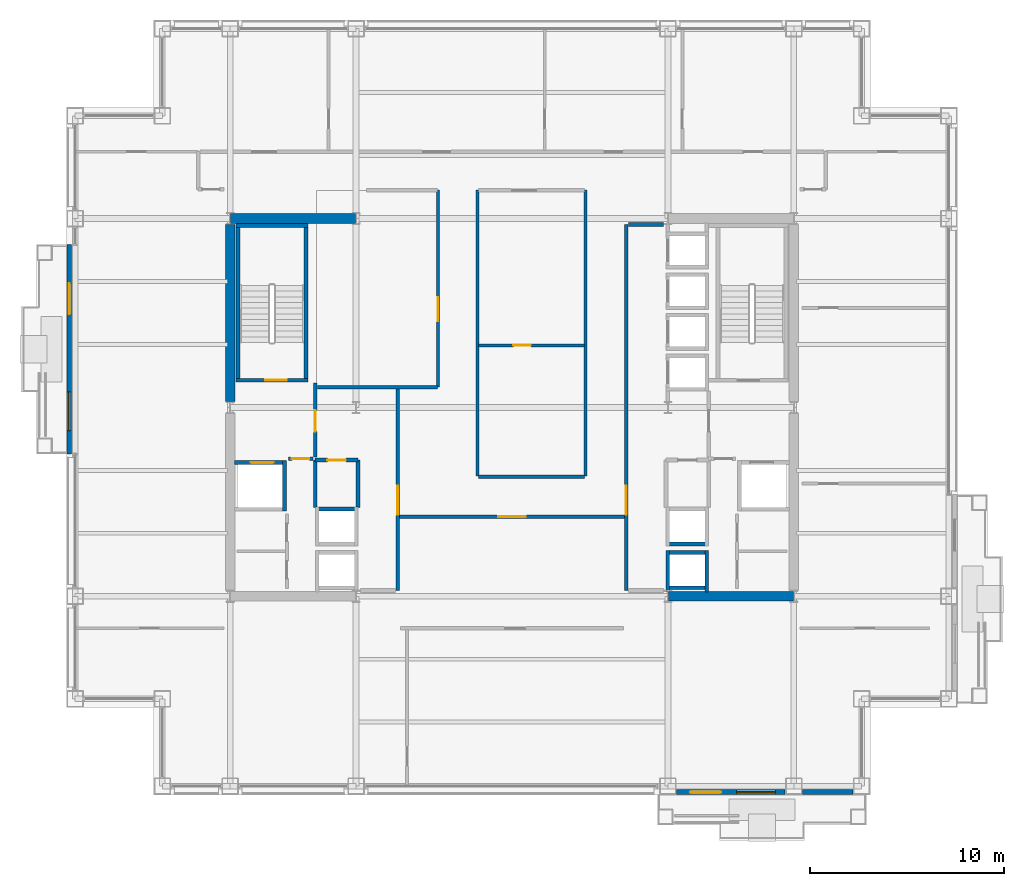
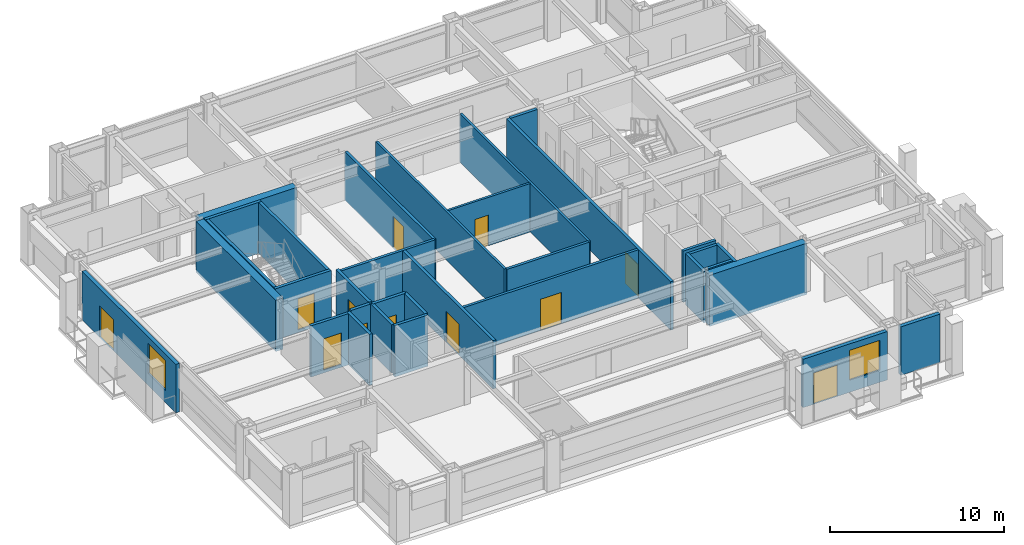
# One storey, part 25 of 30: 33 walls, 12 doors, 2 windows, 14 openings.
"""IFC4 building model written with IfcOpenShell, lengths in metres."""

import ifcopenshell
import ifcopenshell.guid

model = None  # the IFC model being written
_history = None  # IfcOwnerHistory: only IFC2X3 demands one
_inside = {}  # id of a spatial element -> (the spatial element, [elements in it])
_under = {}  # id of a project, library or spatial element -> (it, [spatial elements below it])
_declared = {}  # id of a project -> (the project, [libraries it declares])
_typed = {}  # id of a type object -> (the type object, [elements of that type])
_made_of = {}  # id of a material, layer set ... -> (it, [elements and type objects made of it])


def new_model(schema):
    """Start an empty IFC model of exactly this schema.

    Asked for "IFC4X3", IfcOpenShell would pick the latest addendum, in which some entities
    have other attributes; the version numbers below select the first issue.
    IFC2X3 requires an IfcOwnerHistory on every rooted entity: one is made here for all.
    """
    global model, _history
    if schema == "IFC4X3":
        model = ifcopenshell.file(schema_version=(4, 3, 0, 0))
    else:
        model = ifcopenshell.file(schema=schema)
    _inside.clear()
    _under.clear()
    _declared.clear()
    _typed.clear()
    _made_of.clear()
    _history = None
    if model.schema == "IFC2X3":
        org = make("IfcOrganization", Name="unknown")
        user = make(
            "IfcPersonAndOrganization",
            ThePerson=make("IfcPerson", FamilyName="unknown"),
            TheOrganization=org,
        )
        app = make(
            "IfcApplication",
            ApplicationDeveloper=org,
            Version="unknown",
            ApplicationFullName="unknown",
            ApplicationIdentifier="unknown",
        )
        _history = make(
            "IfcOwnerHistory",
            OwningUser=user,
            OwningApplication=app,
            ChangeAction="ADDED",
            CreationDate=0,
        )
    return model


def make(cls, **values):
    """One entity of the class cls with the attributes given. An attribute that is None is left unset."""
    return model.create_entity(
        cls, **{name: value for name, value in values.items() if value is not None}
    )


def rooted(cls, **values):
    """An entity with a GlobalId (a new one), such as an element, a storey or a relation."""
    return make(cls, GlobalId=ifcopenshell.guid.new(), OwnerHistory=_history, **values)


def si_unit(unit_type, name, prefix=None):
    """IfcSIUnit, for example si_unit("LENGTHUNIT", "METRE", prefix="MILLI")."""
    return make("IfcSIUnit", UnitType=unit_type, Prefix=prefix, Name=name)


def assignment(units):
    """IfcUnitAssignment: the units of a project."""
    return None if units is None else make("IfcUnitAssignment", Units=units)


def point(xyz):
    """IfcCartesianPoint."""
    return None if xyz is None else make("IfcCartesianPoint", Coordinates=xyz)


def direction(xyz):
    """IfcDirection."""
    return None if xyz is None else make("IfcDirection", DirectionRatios=xyz)


def frame(location, z_axis=None, x_axis=None):
    """IfcAxis2Placement3D, a coordinate frame: its origin and axes. An axis left out is left unset."""
    return make(
        "IfcAxis2Placement3D",
        Location=point(location),
        Axis=direction(z_axis),
        RefDirection=direction(x_axis),
    )


def frame_2d(location, x_axis=None):
    """IfcAxis2Placement2D, a coordinate frame in the plane: its origin and x axis."""
    return make(
        "IfcAxis2Placement2D", Location=point(location), RefDirection=direction(x_axis)
    )


def origin():
    """The frame at (0, 0, 0) with its axes left unset."""
    return frame((0.0, 0.0, 0.0))


def place(relative_to, where):
    """IfcLocalPlacement: puts the frame where relative to a parent placement (None: the world)."""
    return make(
        "IfcLocalPlacement", PlacementRelTo=relative_to, RelativePlacement=where
    )


def context(
    kind, dimensions, precision=None, world=None, true_north=None, identifier=None
):
    """IfcGeometricRepresentationContext, for example the 3D "Model" context."""
    return make(
        "IfcGeometricRepresentationContext",
        ContextIdentifier=identifier,
        ContextType=kind,
        CoordinateSpaceDimension=dimensions,
        Precision=precision,
        WorldCoordinateSystem=world,
        TrueNorth=true_north,
    )


def subcontext(parent, identifier, kind, view, scale=None):
    """IfcGeometricRepresentationSubContext, for example "Body" below "Model"."""
    return make(
        "IfcGeometricRepresentationSubContext",
        ContextIdentifier=identifier,
        ContextType=kind,
        ParentContext=parent,
        TargetScale=scale,
        TargetView=view,
    )


def project(units=None, contexts=None):
    """IfcProject with its units and contexts."""
    return rooted(
        "IfcProject",
        Name="project",
        RepresentationContexts=contexts,
        UnitsInContext=assignment(units),
    )


def spatial(cls, under=None, at=None, **own):
    """A site, building, storey or space (cls), placed at a placement, below another one or the project."""
    s = rooted(cls, ObjectPlacement=at, **own)
    if under is not None:
        _under.setdefault(under.id(), (under, []))[1].append(s)
    return s


def profile(cls, at=None, kind="AREA", **sizes):
    """A parametric profile (cls). Its sizes go by their IFC names, for example OverallWidth=200.0."""
    return make(cls, ProfileType=kind, Position=at, **sizes)


def rectangle(**sizes):
    """IfcRectangleProfileDef."""
    return profile("IfcRectangleProfileDef", **sizes)


def extrude(swept, where, along, depth):
    """IfcExtrudedAreaSolid: the profile swept, set in the frame where, extruded along a direction by depth."""
    return make(
        "IfcExtrudedAreaSolid",
        SweptArea=swept,
        Position=where,
        ExtrudedDirection=direction(along),
        Depth=depth,
    )


def shape(context_of_items, identifier, shape_type, items):
    """IfcShapeRepresentation: the items that make up one representation, for example the "Body"."""
    return make(
        "IfcShapeRepresentation",
        ContextOfItems=context_of_items,
        RepresentationIdentifier=identifier,
        RepresentationType=shape_type,
        Items=items,
    )


def material(Name=None, Category=None):
    """IfcMaterial."""
    return make("IfcMaterial", Name=Name, Category=Category)


def layer(
    of_material, thickness, ventilated=None, Name=None, Category=None, Priority=None
):
    """IfcMaterialLayer: one layer of a wall or slab, of a material (None: an air gap)."""
    return make(
        "IfcMaterialLayer",
        Material=of_material,
        LayerThickness=thickness,
        IsVentilated=ventilated,
        Name=Name,
        Category=Category,
        Priority=Priority,
    )


def layer_set(layers, Name=None):
    """IfcMaterialLayerSet."""
    return make("IfcMaterialLayerSet", MaterialLayers=layers, LayerSetName=Name)


def made_of(thing, what):
    """Note that an element or type object is made of a material, layer set ...; save() writes the relation."""
    if what is not None:
        _made_of.setdefault(what.id(), (what, []))[1].append(thing)
    return thing


def type_object(cls, material=None, **own):
    """A type object (cls), such as IfcWallType, which elements share."""
    return made_of(rooted(cls, **own), material)


def element(
    cls,
    number,
    at=None,
    inside=None,
    cuts=None,
    type_object=None,
    material=None,
    context=None,
    identifier="Body",
    shape_type=None,
    held_by="IfcProductDefinitionShape",
    body=None,
    shapes=None,
    **own,
):
    """One element of the class cls, such as IfcWall. Its Tag is "e" and its number.

    at: its placement. inside: the storey or other place that contains it. cuts: it is an
    opening in that element (IfcRelVoidsElement). A single representation is given by context,
    identifier, shape_type and body (its items); several are given by shapes. held_by: the class
    of the entity that holds the representations. save() writes the other relations.
    """
    e = rooted(cls, Tag="e%d" % number, ObjectPlacement=at, **own)
    if body is not None:
        shapes = [shape(context, identifier, shape_type, body)]
    if shapes is not None:
        e.Representation = make(held_by, Representations=shapes)
    if inside is not None:
        _inside.setdefault(inside.id(), (inside, []))[1].append(e)
    if cuts is not None:
        rooted(
            "IfcRelVoidsElement", RelatingBuildingElement=cuts, RelatedOpeningElement=e
        )
    if type_object is not None:
        _typed.setdefault(type_object.id(), (type_object, []))[1].append(e)
    return made_of(e, material)


def fill(opening, filler):
    """IfcRelFillsElement: the door or window that sits in an opening."""
    return rooted(
        "IfcRelFillsElement",
        RelatingOpeningElement=opening,
        RelatedBuildingElement=filler,
    )


def aggregate(whole, parts):
    """IfcRelAggregates: a whole, such as a stair, and the parts it consists of."""
    return rooted("IfcRelAggregates", RelatingObject=whole, RelatedObjects=parts)


def save(model, path):
    """Write the relations noted so far, then the file.

    IfcRelAggregates (storeys below a building ...), IfcRelContainedInSpatialStructure (elements
    in a storey), IfcRelDefinesByType, IfcRelAssociatesMaterial and IfcRelDeclares: one each for
    every whole, place, type object, material and project.
    """
    for whole, parts in _under.values():
        aggregate(whole, parts)
    for where, things in _inside.values():
        rooted(
            "IfcRelContainedInSpatialStructure",
            RelatedElements=things,
            RelatingStructure=where,
        )
    for kind, things in _typed.values():
        rooted("IfcRelDefinesByType", RelatedObjects=things, RelatingType=kind)
    for what, things in _made_of.values():
        rooted("IfcRelAssociatesMaterial", RelatedObjects=things, RelatingMaterial=what)
    for by, libraries in _declared.values():
        rooted("IfcRelDeclares", RelatingContext=by, RelatedDefinitions=libraries)
    model.write(path)


model = new_model("IFC4")

# Units and contexts
model_context = context("Model", 3, precision=1e-05, world=origin(), true_north=direction((0.0, 1.0)))
body_context = subcontext(model_context, "Body", "Model", "MODEL_VIEW")
ifc_project = project(units=[si_unit("LENGTHUNIT", "METRE"), si_unit("AREAUNIT", "SQUARE_METRE"), si_unit("VOLUMEUNIT", "CUBIC_METRE"), si_unit("PLANEANGLEUNIT", "RADIAN"), si_unit("MASSUNIT", "GRAM", prefix="KILO")], contexts=[model_context])

# Site, building, storey
site_placement = place(None, origin())
site = spatial("IfcSite", under=ifc_project, at=site_placement, CompositionType="ELEMENT")
building_placement = place(site_placement, origin())
building = spatial("IfcBuilding", under=site, at=building_placement, Name="Brelmoor Portico Tower", CompositionType="ELEMENT")
storey_placement = place(building_placement, frame((0.0, 0.0, 102.60009765625)))
storey = spatial("IfcBuildingStorey", under=building, at=storey_placement, Name="L26", CompositionType="ELEMENT", Elevation=102.60009765625)

# Walls
ifc_material_1 = material(Name="Concrete C60", Category="concrete")
ifc_layer_1 = layer(ifc_material_1, 0.5)
ifc_layer_set_1 = layer_set([ifc_layer_1], Name="Concrete C60")
wall_type_1 = type_object("IfcWallType", Name="WL-CORE-500", PredefinedType="SHEAR", material=ifc_layer_set_1)
wall_1_placement = place(storey_placement, frame((-14.530029296875, 9.75, -0.2001953125), z_axis=(0.0, 0.0, 1.0), x_axis=(1.0, 0.0, 0.0)))
element("IfcWall", 1, at=wall_1_placement, inside=storey, type_object=wall_type_1, Name="L26 WC North Shear Wall", PredefinedType="SHEAR", context=body_context, shape_type="SweptSolid", body=[
    extrude(rectangle(XDim=6.4599609375, YDim=0.5, at=frame_2d((3.22998046875, 0.0))), origin(), (0.0, 0.0, 1.0), 3.60009765625),
])
wall_2_placement = place(storey_placement, frame((-14.550048828125, 0.300048828125, -0.2001953125), z_axis=(0.0, 0.0, 1.0), x_axis=(0.0, 1.0, 0.0)))
element("IfcWall", 2, at=wall_2_placement, inside=storey, type_object=wall_type_1, Name="L26 WC Outer North Shear Wall", PredefinedType="SHEAR", context=body_context, shape_type="SweptSolid", body=[
    extrude(rectangle(XDim=9.14990234375, YDim=0.5, at=frame_2d((4.574951171875, 0.0))), origin(), (0.0, 0.0, 1.0), 3.60009765625),
])
wall_3_placement = place(storey_placement, frame((8.070068359375, -9.75, -0.2001953125), z_axis=(0.0, 0.0, 1.0), x_axis=(1.0, 0.0, 0.0)))
element("IfcWall", 3, at=wall_3_placement, inside=storey, type_object=wall_type_1, Name="L26 EC South Shear Wall", PredefinedType="SHEAR", context=body_context, shape_type="SweptSolid", body=[
    extrude(rectangle(XDim=6.4599609375, YDim=0.5, at=frame_2d((3.22998046875, 0.0))), origin(), (0.0, 0.0, 1.0), 3.60009765625),
])

# Wall, openings, door, window
ifc_material_2 = material(Name="Precast Concrete C40 Insulated Facade Wall", Category="concrete")
ifc_layer_2 = layer(ifc_material_2, 0.25)
ifc_layer_set_2 = layer_set([ifc_layer_2], Name="Precast Concrete C40 Insulated Facade Wall")
wall_type_2 = type_object("IfcWallType", Name="WL-EXT-250", PredefinedType="STANDARD", material=ifc_layer_set_2)
wall_4_placement = place(storey_placement, frame((8.4951171875, -19.860107421875, 0.0), z_axis=(0.0, 0.0, 1.0), x_axis=(1.0, 0.0, 0.0)))
wall_4 = element("IfcWall", 4, at=wall_4_placement, inside=storey, type_object=wall_type_2, Name="L26 Loggia Threshold Wall S-1", PredefinedType="STANDARD", context=body_context, shape_type="SweptSolid", body=[
    extrude(rectangle(XDim=5.60986328125, YDim=0.25, at=frame_2d((2.804931640625, 0.0))), origin(), (0.0, 0.0, 1.0), 3.39990234375),
])
opening_1_placement = place(wall_4_placement, frame((0.705078125, 0.0, 0.0)))
opening_1 = element("IfcOpeningElement", 5, at=opening_1_placement, cuts=wall_4, Name="Opening D-TB1", PredefinedType="OPENING", context=body_context, shape_type="SweptSolid", body=[
    extrude(rectangle(XDim=1.60009765625, YDim=2.199951171875, at=frame_2d((0.800048828125, 1.10009765625))), frame((0.0, 0.135009765625, 0.0), z_axis=(0.0, -1.0, 0.0), x_axis=(1.0, 0.0, 0.0)), (0.0, 0.0, 1.0), 0.27001953125),
])
opening_2_placement = place(wall_4_placement, frame((3.10498046875, 0.0, 0.85009765625)))
opening_2 = element("IfcOpeningElement", 6, at=opening_2_placement, cuts=wall_4, Name="Opening W-03", PredefinedType="OPENING", context=body_context, shape_type="SweptSolid", body=[
    extrude(rectangle(XDim=2.0, YDim=2.10009765625, at=frame_2d((1.0, 1.050048828125))), frame((0.0, 0.135009765625, 0.0), z_axis=(0.0, -1.0, 0.0), x_axis=(1.0, 0.0, 0.0)), (0.0, 0.0, 1.0), 0.27001953125),
])
ifc_material_3 = material(Name="Double-Leaf Thermally Broken Terrace Door", Category="aluminium")
door_type_1 = type_object("IfcDoorType", Name="DR-BALCONY-1600", OperationType="NOTDEFINED", PredefinedType="DOOR", material=ifc_material_3)
door_1_placement = place(opening_1_placement, origin())
door_1 = element("IfcDoor", 7, at=door_1_placement, inside=storey, type_object=door_type_1, Name="D-1164 L26 Tree Balcony Double Door S", OperationType="DOUBLE_DOOR_SINGLE_SWING", OverallHeight=2.199951171875, OverallWidth=1.60009765625, PredefinedType="DOOR", context=body_context, shape_type="SweptSolid", body=[
    extrude(rectangle(XDim=1.60009765625, YDim=2.199951171875, at=frame_2d((0.800048828125, 1.10009765625))), frame((0.0, 0.02490234375, 0.0), z_axis=(0.0, -1.0, 0.0), x_axis=(1.0, 0.0, 0.0)), (0.0, 0.0, 1.0), 0.050048828125),
])
fill(opening_1, door_1)
ifc_material_4 = material(Name="Thermally Broken Aluminium Low-E Window", Category="aluminium")
window_type = type_object("IfcWindowType", Name="WN-LOGGIA-2000x2100", PartitioningType="SINGLE_PANEL", PredefinedType="WINDOW", material=ifc_material_4)
window_1_placement = place(opening_2_placement, origin())
window_1 = element("IfcWindow", 8, at=window_1_placement, inside=storey, type_object=window_type, Name="L26 Loggia Window S", OverallHeight=2.10009765625, OverallWidth=2.0, PartitioningType="SINGLE_PANEL", PredefinedType="WINDOW", context=body_context, shape_type="SweptSolid", body=[
    extrude(rectangle(XDim=2.0, YDim=2.10009765625, at=frame_2d((1.0, 1.050048828125))), frame((0.0, 0.030029296875, 0.0), z_axis=(0.0, -1.0, 0.0), x_axis=(1.0, 0.0, 0.0)), (0.0, 0.0, 1.0), 0.06005859375),
])
fill(opening_2, window_1)

# Wall
wall_5_placement = place(storey_placement, frame((14.9951171875, -19.860107421875, 0.0), z_axis=(0.0, 0.0, 1.0), x_axis=(1.0, 0.0, 0.0)))
element("IfcWall", 9, at=wall_5_placement, inside=storey, type_object=wall_type_2, Name="L26 Loggia Threshold Wall S-2", PredefinedType="STANDARD", context=body_context, shape_type="SweptSolid", body=[
    extrude(rectangle(XDim=2.60986328125, YDim=0.25, at=frame_2d((1.304931640625, 0.0))), origin(), (0.0, 0.0, 1.0), 3.39990234375),
])

# Wall, openings, door, window
wall_6_placement = place(storey_placement, frame((-22.860107421875, -2.39990234375, 0.0), z_axis=(0.0, 0.0, 1.0), x_axis=(0.0, 1.0, 0.0)))
wall_6 = element("IfcWall", 10, at=wall_6_placement, inside=storey, type_object=wall_type_2, Name="L26 Loggia Threshold Wall W-1", PredefinedType="STANDARD", context=body_context, shape_type="SweptSolid", body=[
    extrude(rectangle(XDim=10.7998046875, YDim=0.25, at=frame_2d((5.39990234375, 0.0))), origin(), (0.0, 0.0, 1.0), 3.39990234375),
])
opening_3_placement = place(wall_6_placement, frame((7.199951171875, 0.0, 0.0)))
opening_3 = element("IfcOpeningElement", 11, at=opening_3_placement, cuts=wall_6, Name="Opening D-TB1", PredefinedType="OPENING", context=body_context, shape_type="SweptSolid", body=[
    extrude(rectangle(XDim=1.60009765625, YDim=2.199951171875, at=frame_2d((0.800048828125, 1.10009765625))), frame((0.0, 0.135009765625, 0.0), z_axis=(0.0, -1.0, 0.0), x_axis=(1.0, 0.0, 0.0)), (0.0, 0.0, 1.0), 0.27001953125),
])
opening_4_placement = place(wall_6_placement, frame((1.199951171875, 0.0, 0.85009765625)))
opening_4 = element("IfcOpeningElement", 12, at=opening_4_placement, cuts=wall_6, Name="Opening W-03", PredefinedType="OPENING", context=body_context, shape_type="SweptSolid", body=[
    extrude(rectangle(XDim=2.0, YDim=2.10009765625, at=frame_2d((1.0, 1.050048828125))), frame((0.0, 0.135009765625, 0.0), z_axis=(0.0, -1.0, 0.0), x_axis=(1.0, 0.0, 0.0)), (0.0, 0.0, 1.0), 0.27001953125),
])
door_2_placement = place(opening_3_placement, origin())
door_2 = element("IfcDoor", 13, at=door_2_placement, inside=storey, type_object=door_type_1, Name="D-1165 L26 Tree Balcony Double Door W", OperationType="DOUBLE_DOOR_SINGLE_SWING", OverallHeight=2.199951171875, OverallWidth=1.60009765625, PredefinedType="DOOR", context=body_context, shape_type="SweptSolid", body=[
    extrude(rectangle(XDim=1.60009765625, YDim=2.199951171875, at=frame_2d((0.800048828125, 1.10009765625))), frame((0.0, 0.02490234375, 0.0), z_axis=(0.0, -1.0, 0.0), x_axis=(1.0, 0.0, 0.0)), (0.0, 0.0, 1.0), 0.050048828125),
])
fill(opening_3, door_2)
window_2_placement = place(opening_4_placement, origin())
window_2 = element("IfcWindow", 14, at=window_2_placement, inside=storey, type_object=window_type, Name="L26 Loggia Window W", OverallHeight=2.10009765625, OverallWidth=2.0, PartitioningType="SINGLE_PANEL", PredefinedType="WINDOW", context=body_context, shape_type="SweptSolid", body=[
    extrude(rectangle(XDim=2.0, YDim=2.10009765625, at=frame_2d((1.0, 1.050048828125))), frame((0.0, 0.030029296875, 0.0), z_axis=(0.0, -1.0, 0.0), x_axis=(1.0, 0.0, 0.0)), (0.0, 0.0, 1.0), 0.06005859375),
])
fill(opening_4, window_2)

# Walls
ifc_material_5 = material(Name="Wet-Area Moisture-Resistant Partition", Category="gypsum")
ifc_layer_3 = layer(ifc_material_5, 0.14990234375)
ifc_layer_set_3 = layer_set([ifc_layer_3], Name="Wet-Area Moisture-Resistant Partition")
wall_type_3 = type_object("IfcWallType", Name="WL-PART-150", PredefinedType="PARTITIONING", material=ifc_layer_set_3)
for number, where, z_axis, x_axis, name in (
    (15, (-1.780029296875, -3.550048828125, 0.0), (0.0, 0.0, 1.0), (0.0, 1.0, 0.0), "L26 Central Studio West Wall"),
    (16, (3.800048828125, -3.550048828125, 0.0), (0.0, 0.0, 1.0), (0.0, 1.0, 0.0), "L26 Central Studio East Wall"),
):
    element("IfcWall", number, at=place(storey_placement, frame(where, z_axis=z_axis, x_axis=x_axis)), inside=storey, type_object=wall_type_3, Name=name, PredefinedType="PARTITIONING", context=body_context, shape_type="SweptSolid", body=[
        extrude(rectangle(XDim=14.77001953125, YDim=0.14990234375, at=frame_2d((7.385009765625, 0.0))), origin(), (0.0, 0.0, 1.0), 3.39990234375),
    ])

# Wall, opening, door
wall_7_placement = place(storey_placement, frame((-1.72998046875, 3.199951171875, 0.0), z_axis=(0.0, 0.0, 1.0), x_axis=(1.0, 0.0, 0.0)))
wall_7 = element("IfcWall", 17, at=wall_7_placement, inside=storey, type_object=wall_type_3, Name="L26 Central Pantry Divider", PredefinedType="PARTITIONING", context=body_context, shape_type="SweptSolid", body=[
    extrude(rectangle(XDim=5.47998046875, YDim=0.14990234375, at=frame_2d((2.739990234375, 0.0))), origin(), (0.0, 0.0, 1.0), 3.39990234375),
])
opening_5_placement = place(wall_7_placement, frame((1.800048828125, 0.0, 0.0)))
opening_5 = element("IfcOpeningElement", 18, at=opening_5_placement, cuts=wall_7, Name="Opening D-IN1", PredefinedType="OPENING", context=body_context, shape_type="SweptSolid", body=[
    extrude(rectangle(XDim=0.89990234375, YDim=2.14990234375, at=frame_2d((0.449951171875, 1.074951171875))), frame((0.0, 0.0849609375, 0.0), z_axis=(0.0, -1.0, 0.0), x_axis=(1.0, 0.0, 0.0)), (0.0, 0.0, 1.0), 0.169921875),
])
ifc_material_6 = material(Name="Lacquered Timber Suite Door", Category="wood")
door_type_2 = type_object("IfcDoorType", Name="DR-INT-900", OperationType="NOTDEFINED", PredefinedType="DOOR", material=ifc_material_6)
door_3_placement = place(opening_5_placement, origin())
door_3 = element("IfcDoor", 19, at=door_3_placement, inside=storey, type_object=door_type_2, Name="D-1133 L26 Central Pantry Connecting Door", OperationType="SINGLE_SWING_LEFT", OverallHeight=2.14990234375, OverallWidth=0.89990234375, PredefinedType="DOOR", context=body_context, shape_type="SweptSolid", body=[
    extrude(rectangle(XDim=0.89990234375, YDim=2.14990234375, at=frame_2d((0.449951171875, 1.074951171875))), frame((0.0, 0.02490234375, 0.0), z_axis=(0.0, -1.0, 0.0), x_axis=(1.0, 0.0, 0.0)), (0.0, 0.0, 1.0), 0.050048828125),
])
fill(opening_5, door_3)

# Wall
ifc_material_7 = material(Name="Acoustic Corridor Fire Partition", Category="gypsum")
ifc_layer_4 = layer(ifc_material_7, 0.179931640625)
ifc_layer_set_4 = layer_set([ifc_layer_4], Name="Acoustic Corridor Fire Partition")
wall_type_4 = type_object("IfcWallType", Name="WL-PART-180", PredefinedType="PARTITIONING", material=ifc_layer_set_4)
wall_8_placement = place(storey_placement, frame((-10.050048828125, 1.050048828125, 0.0), z_axis=(0.0, 0.0, 1.0), x_axis=(1.0, 0.0, 0.0)))
element("IfcWall", 20, at=wall_8_placement, inside=storey, type_object=wall_type_4, Name="L26 Reclaimed West Suite South Wall", PredefinedType="PARTITIONING", context=body_context, shape_type="SweptSolid", body=[
    extrude(rectangle(XDim=6.2099609375, YDim=0.179931640625, at=frame_2d((3.10498046875, 0.0))), origin(), (0.0, 0.0, 1.0), 3.39990234375),
])

# Wall, opening, door
wall_9_placement = place(storey_placement, frame((-3.820068359375, 1.050048828125, 0.0), z_axis=(0.0, 0.0, 1.0), x_axis=(0.0, 1.0, 0.0)))
wall_9 = element("IfcWall", 21, at=wall_9_placement, inside=storey, type_object=wall_type_4, Name="L26 Reclaimed West Suite East Wall", PredefinedType="PARTITIONING", context=body_context, shape_type="SweptSolid", body=[
    extrude(rectangle(XDim=10.169921875, YDim=0.179931640625, at=frame_2d((5.0849609375, 0.0))), origin(), (0.0, 0.0, 1.0), 3.39990234375),
])
opening_6_placement = place(wall_9_placement, frame((3.39990234375, 0.0, 0.0)))
opening_6 = element("IfcOpeningElement", 22, at=opening_6_placement, cuts=wall_9, Name="Opening D-SU1", PredefinedType="OPENING", context=body_context, shape_type="SweptSolid", body=[
    extrude(rectangle(XDim=1.239990234375, YDim=2.239990234375, at=frame_2d((0.6201171875, 1.1201171875))), frame((0.0, 0.099853515625, 0.0), z_axis=(0.0, -1.0, 0.0), x_axis=(1.0, 0.0, 0.0)), (0.0, 0.0, 1.0), 0.199951171875),
])
ifc_material_8 = material(Name="Glazed Timber Executive Suite Door", Category="wood")
door_type_3 = type_object("IfcDoorType", Name="DR-SUITE-1200", OperationType="NOTDEFINED", PredefinedType="DOOR", material=ifc_material_8)
door_4_placement = place(opening_6_placement, origin())
door_4 = element("IfcDoor", 23, at=door_4_placement, inside=storey, type_object=door_type_3, Name="D-1156 L26 West Reclaimed Collaboration Office Door", OperationType="SINGLE_SWING_RIGHT", OverallHeight=2.239990234375, OverallWidth=1.239990234375, PredefinedType="DOOR", context=body_context, shape_type="SweptSolid", body=[
    extrude(rectangle(XDim=1.239990234375, YDim=2.239990234375, at=frame_2d((0.6201171875, 1.1201171875))), frame((0.0, 0.02490234375, 0.0), z_axis=(0.0, -1.0, 0.0), x_axis=(1.0, 0.0, 0.0)), (0.0, 0.0, 1.0), 0.050048828125),
])
fill(opening_6, door_4)

# Wall
wall_10_placement = place(storey_placement, frame((-1.72998046875, -3.580078125, 0.0), z_axis=(0.0, 0.0, 1.0), x_axis=(1.0, 0.0, 0.0)))
element("IfcWall", 24, at=wall_10_placement, inside=storey, type_object=wall_type_4, Name="L26 Central Studio South Wall", PredefinedType="PARTITIONING", context=body_context, shape_type="SweptSolid", body=[
    extrude(rectangle(XDim=5.47998046875, YDim=0.179931640625, at=frame_2d((2.739990234375, 0.0))), origin(), (0.0, 0.0, 1.0), 3.39990234375),
])

# Wall, opening, door
wall_11_placement = place(storey_placement, frame((-5.800048828125, -5.64990234375, 0.0), z_axis=(0.0, 0.0, 1.0), x_axis=(1.0, 0.0, 0.0)))
wall_11 = element("IfcWall", 25, at=wall_11_placement, inside=storey, type_object=wall_type_4, Name="L26 South Hub Corridor Wall", PredefinedType="PARTITIONING", context=body_context, shape_type="SweptSolid", body=[
    extrude(rectangle(XDim=11.60009765625, YDim=0.179931640625, at=frame_2d((5.800048828125, 0.0))), origin(), (0.0, 0.0, 1.0), 3.39990234375),
])
opening_7_placement = place(wall_11_placement, frame((5.10009765625, 0.0, 0.0)))
opening_7 = element("IfcOpeningElement", 26, at=opening_7_placement, cuts=wall_11, Name="Opening D-SU2", PredefinedType="OPENING", context=body_context, shape_type="SweptSolid", body=[
    extrude(rectangle(XDim=1.39990234375, YDim=2.199951171875, at=frame_2d((0.699951171875, 1.10009765625))), frame((0.0, 0.099853515625, 0.0), z_axis=(0.0, -1.0, 0.0), x_axis=(1.0, 0.0, 0.0)), (0.0, 0.0, 1.0), 0.199951171875),
])
ifc_material_9 = material(Name="Double-Leaf Acoustic Suite Door", Category="timber")
door_type_4 = type_object("IfcDoorType", Name="DR-SUITE-1400", OperationType="NOTDEFINED", PredefinedType="DOOR", material=ifc_material_9)
door_5_placement = place(opening_7_placement, origin())
door_5 = element("IfcDoor", 27, at=door_5_placement, inside=storey, type_object=door_type_4, Name="D-1132 L26 South Reception Hub Door", OperationType="DOUBLE_DOOR_SINGLE_SWING", OverallHeight=2.199951171875, OverallWidth=1.39990234375, PredefinedType="DOOR", context=body_context, shape_type="SweptSolid", body=[
    extrude(rectangle(XDim=1.39990234375, YDim=2.199951171875, at=frame_2d((0.699951171875, 1.10009765625))), frame((0.0, 0.02490234375, 0.0), z_axis=(0.0, -1.0, 0.0), x_axis=(1.0, 0.0, 0.0)), (0.0, 0.0, 1.0), 0.050048828125),
])
fill(opening_7, door_5)

ifc_material_10 = material(Name="Double-Stud Gypsum Fire Partition", Category="gypsum")
ifc_layer_5 = layer(ifc_material_10, 0.199951171875)
ifc_layer_set_5 = layer_set([ifc_layer_5], Name="Double-Stud Gypsum Fire Partition")
wall_type_5 = type_object("IfcWallType", Name="WL-PART-200", PredefinedType="PARTITIONING", material=ifc_layer_set_5)
wall_12_placement = place(storey_placement, frame((-5.89990234375, -9.449951171875, 0.0), z_axis=(0.0, 0.0, 1.0), x_axis=(0.0, 1.0, 0.0)))
wall_12 = element("IfcWall", 28, at=wall_12_placement, inside=storey, type_object=wall_type_5, Name="L26 W Core Lobby Compartment Wall", PredefinedType="PARTITIONING", context=body_context, shape_type="SweptSolid", body=[
    extrude(rectangle(XDim=10.5, YDim=0.199951171875, at=frame_2d((5.25, 0.0))), origin(), (0.0, 0.0, 1.0), 3.39990234375),
])
opening_8_placement = place(wall_12_placement, frame((3.89990234375, 0.0, 0.0)))
opening_8 = element("IfcOpeningElement", 29, at=opening_8_placement, cuts=wall_12, Name="Opening D-LB1", PredefinedType="OPENING", context=body_context, shape_type="SweptSolid", body=[
    extrude(rectangle(XDim=1.5, YDim=2.199951171875, at=frame_2d((0.75, 1.10009765625))), frame((0.0, 0.10986328125, 0.0), z_axis=(0.0, -1.0, 0.0), x_axis=(1.0, 0.0, 0.0)), (0.0, 0.0, 1.0), 0.219970703125),
])
ifc_material_11 = material(Name="Double-Leaf Glazed Steel Fire Door", Category="steel")
door_type_5 = type_object("IfcDoorType", Name="DR-LOBBY-1500", OperationType="NOTDEFINED", PredefinedType="DOOR", material=ifc_material_11)
door_6_placement = place(opening_8_placement, origin())
door_6 = element("IfcDoor", 30, at=door_6_placement, inside=storey, type_object=door_type_5, Name="D-1146 L26 W Lift Lobby Main Door", OperationType="DOUBLE_DOOR_SINGLE_SWING", OverallHeight=2.199951171875, OverallWidth=1.5, PredefinedType="DOOR", context=body_context, shape_type="SweptSolid", body=[
    extrude(rectangle(XDim=1.5, YDim=2.199951171875, at=frame_2d((0.75, 1.10009765625))), frame((0.0, 0.02490234375, 0.0), z_axis=(0.0, -1.0, 0.0), x_axis=(1.0, 0.0, 0.0)), (0.0, 0.0, 1.0), 0.050048828125),
])
fill(opening_8, door_6)

wall_13_placement = place(storey_placement, frame((-10.159912109375, -2.550048828125, 0.0), z_axis=(0.0, 0.0, 1.0), x_axis=(0.0, 1.0, 0.0)))
wall_13 = element("IfcWall", 31, at=wall_13_placement, inside=storey, type_object=wall_type_5, Name="L26 W Firefighting Lobby Wall", PredefinedType="PARTITIONING", context=body_context, shape_type="SweptSolid", body=[
    extrude(rectangle(XDim=3.800048828125, YDim=0.199951171875, at=frame_2d((1.89990234375, 0.0))), origin(), (0.0, 0.0, 1.0), 3.39990234375),
])
opening_9_placement = place(wall_13_placement, frame((1.300048828125, 0.0, 0.0)))
opening_9 = element("IfcOpeningElement", 32, at=opening_9_placement, cuts=wall_13, Name="Opening D-FR1", PredefinedType="OPENING", context=body_context, shape_type="SweptSolid", body=[
    extrude(rectangle(XDim=1.10009765625, YDim=2.14990234375, at=frame_2d((0.550048828125, 1.074951171875))), frame((0.0, 0.10986328125, 0.0), z_axis=(0.0, -1.0, 0.0), x_axis=(1.0, 0.0, 0.0)), (0.0, 0.0, 1.0), 0.219970703125),
])
ifc_material_12 = material(Name="Painted Galvanised Steel Fire Door", Category="steel")
door_type_6 = type_object("IfcDoorType", Name="DR-FIRE-1100", OperationType="NOTDEFINED", PredefinedType="DOOR", material=ifc_material_12)
door_7_placement = place(opening_9_placement, origin())
door_7 = element("IfcDoor", 33, at=door_7_placement, inside=storey, type_object=door_type_6, Name="D-1144 L26 W Firefighting Lobby Door", OperationType="SINGLE_SWING_RIGHT", OverallHeight=2.14990234375, OverallWidth=1.10009765625, PredefinedType="DOOR", context=body_context, shape_type="SweptSolid", body=[
    extrude(rectangle(XDim=1.10009765625, YDim=2.14990234375, at=frame_2d((0.550048828125, 1.074951171875))), frame((0.0, 0.02490234375, 0.0), z_axis=(0.0, -1.0, 0.0), x_axis=(1.0, 0.0, 0.0)), (0.0, 0.0, 1.0), 0.050048828125),
])
fill(opening_9, door_7)

wall_14_placement = place(storey_placement, frame((-10.280029296875, -2.64990234375, 0.0), z_axis=(0.0, 0.0, 1.0), x_axis=(-1.0, 0.0, 0.0)))
wall_14 = element("IfcWall", 34, at=wall_14_placement, inside=storey, type_object=wall_type_5, Name="L26 W Firefighting Lobby South Wall", PredefinedType="PARTITIONING", context=body_context, shape_type="SweptSolid", body=[
    extrude(rectangle(XDim=1.27001953125, YDim=0.199951171875, at=frame_2d((0.635009765625, 0.0))), origin(), (0.0, 0.0, 1.0), 3.39990234375),
])
opening_10_placement = place(wall_14_placement, frame((0.18505859375, 0.0, 0.0)))
opening_10 = element("IfcOpeningElement", 35, at=opening_10_placement, cuts=wall_14, Name="Opening D-IN1", PredefinedType="OPENING", context=body_context, shape_type="SweptSolid", body=[
    extrude(rectangle(XDim=0.89990234375, YDim=2.14990234375, at=frame_2d((0.449951171875, 1.074951171875))), frame((0.0, 0.10986328125, 0.0), z_axis=(0.0, -1.0, 0.0), x_axis=(1.0, 0.0, 0.0)), (0.0, 0.0, 1.0), 0.219970703125),
])
door_8_placement = place(opening_10_placement, origin())
door_8 = element("IfcDoor", 36, at=door_8_placement, inside=storey, type_object=door_type_2, Name="D-1138 L26 W Core Service Vestibule Door", OperationType="SINGLE_SWING_LEFT", OverallHeight=2.14990234375, OverallWidth=0.89990234375, PredefinedType="DOOR", context=body_context, shape_type="SweptSolid", body=[
    extrude(rectangle(XDim=0.89990234375, YDim=2.14990234375, at=frame_2d((0.449951171875, 1.074951171875))), frame((0.0, 0.02490234375, 0.0), z_axis=(0.0, -1.0, 0.0), x_axis=(1.0, 0.0, 0.0)), (0.0, 0.0, 1.0), 0.050048828125),
])
fill(opening_10, door_8)

wall_15_placement = place(storey_placement, frame((-7.9599609375, -2.719970703125, 0.0), z_axis=(0.0, 0.0, 1.0), x_axis=(-1.0, 0.0, 0.0)))
wall_15 = element("IfcWall", 37, at=wall_15_placement, inside=storey, type_object=wall_type_5, Name="L26 W Electrical Switchgear Closet Wall", PredefinedType="PARTITIONING", context=body_context, shape_type="SweptSolid", body=[
    extrude(rectangle(XDim=2.199951171875, YDim=0.199951171875, at=frame_2d((1.10009765625, 0.0))), origin(), (0.0, 0.0, 1.0), 3.39990234375),
])
opening_11_placement = place(wall_15_placement, frame((0.6201171875, 0.0, 0.0)))
opening_11 = element("IfcOpeningElement", 38, at=opening_11_placement, cuts=wall_15, Name="Opening D-FR4", PredefinedType="OPENING", context=body_context, shape_type="SweptSolid", body=[
    extrude(rectangle(XDim=0.949951171875, YDim=2.10009765625, at=frame_2d((0.47509765625, 1.050048828125))), frame((0.0, 0.10986328125, 0.0), z_axis=(0.0, -1.0, 0.0), x_axis=(1.0, 0.0, 0.0)), (0.0, 0.0, 1.0), 0.219970703125),
])
ifc_material_13 = material(Name="Painted Galvanised Steel Riser Door", Category="steel")
door_type_7 = type_object("IfcDoorType", Name="DR-FIRE-950", OperationType="NOTDEFINED", PredefinedType="DOOR", material=ifc_material_13)
door_9_placement = place(opening_11_placement, origin())
door_9 = element("IfcDoor", 39, at=door_9_placement, inside=storey, type_object=door_type_7, Name="D-1142 L26 W Electrical Switchgear Closet Door", OperationType="SINGLE_SWING_RIGHT", OverallHeight=2.10009765625, OverallWidth=0.949951171875, PredefinedType="DOOR", context=body_context, shape_type="SweptSolid", body=[
    extrude(rectangle(XDim=0.949951171875, YDim=2.10009765625, at=frame_2d((0.47509765625, 1.050048828125))), frame((0.0, 0.02490234375, 0.0), z_axis=(0.0, -1.0, 0.0), x_axis=(1.0, 0.0, 0.0)), (0.0, 0.0, 1.0), 0.050048828125),
])
fill(opening_11, door_9)

# Walls
for number, where, z_axis, x_axis, name in (
    (40, (-7.9599609375, -5.159912109375, 0.0), (0.0, 0.0, 1.0), (0.0, 1.0, 0.0), "L26 W Electrical Switchgear Closet Inner Wall"),
    (41, (-10.159912109375, -5.159912109375, 0.0), (0.0, 0.0, 1.0), (0.0, 1.0, 0.0), "L26 W Electrical Switchgear Closet Outer Wall"),
):
    element("IfcWall", number, at=place(storey_placement, frame(where, z_axis=z_axis, x_axis=x_axis)), inside=storey, type_object=wall_type_5, Name=name, PredefinedType="PARTITIONING", context=body_context, shape_type="SweptSolid", body=[
        extrude(rectangle(XDim=2.43994140625, YDim=0.199951171875, at=frame_2d((1.219970703125, 0.0))), origin(), (0.0, 0.0, 1.0), 3.39990234375),
    ])

# Wall, opening, door
wall_16_placement = place(storey_placement, frame((5.89990234375, -9.449951171875, 0.0), z_axis=(0.0, 0.0, 1.0), x_axis=(0.0, 1.0, 0.0)))
wall_16 = element("IfcWall", 42, at=wall_16_placement, inside=storey, type_object=wall_type_5, Name="L26 E Core Lobby Compartment Wall", PredefinedType="PARTITIONING", context=body_context, shape_type="SweptSolid", body=[
    extrude(rectangle(XDim=18.89990234375, YDim=0.199951171875, at=frame_2d((9.449951171875, 0.0))), origin(), (0.0, 0.0, 1.0), 3.39990234375),
])
opening_12_placement = place(wall_16_placement, frame((3.89990234375, 0.0, 0.0)))
opening_12 = element("IfcOpeningElement", 43, at=opening_12_placement, cuts=wall_16, Name="Opening D-LB1", PredefinedType="OPENING", context=body_context, shape_type="SweptSolid", body=[
    extrude(rectangle(XDim=1.5, YDim=2.199951171875, at=frame_2d((0.75, 1.10009765625))), frame((0.0, 0.10986328125, 0.0), z_axis=(0.0, -1.0, 0.0), x_axis=(1.0, 0.0, 0.0)), (0.0, 0.0, 1.0), 0.219970703125),
])
door_10_placement = place(opening_12_placement, origin())
door_10 = element("IfcDoor", 44, at=door_10_placement, inside=storey, type_object=door_type_5, Name="D-1145 L26 E Lift Lobby Main Door", OperationType="DOUBLE_DOOR_SINGLE_SWING", OverallHeight=2.199951171875, OverallWidth=1.5, PredefinedType="DOOR", context=body_context, shape_type="SweptSolid", body=[
    extrude(rectangle(XDim=1.5, YDim=2.199951171875, at=frame_2d((0.75, 1.10009765625))), frame((0.0, 0.02490234375, 0.0), z_axis=(0.0, -1.0, 0.0), x_axis=(1.0, 0.0, 0.0)), (0.0, 0.0, 1.0), 0.050048828125),
])
fill(opening_12, door_10)

# Walls
wall_17_placement = place(storey_placement, frame((6.02001953125, 9.449951171875, 0.0), z_axis=(0.0, 0.0, 1.0), x_axis=(1.0, 0.0, 0.0)))
element("IfcWall", 45, at=wall_17_placement, inside=storey, type_object=wall_type_5, Name="L26 E Lift Lobby North End Wall", PredefinedType="PARTITIONING", context=body_context, shape_type="SweptSolid", body=[
    extrude(rectangle(XDim=1.800048828125, YDim=0.199951171875, at=frame_2d((0.89990234375, 0.0))), origin(), (0.0, 0.0, 1.0), 3.39990234375),
])
ifc_material_14 = material(Name="Precast Concrete C40", Category="concrete")
ifc_layer_6 = layer(ifc_material_14, 0.18994140625)
ifc_layer_set_6 = layer_set([ifc_layer_6], Name="Precast Concrete C40")
wall_type_6 = type_object("IfcWallType", Name="WL-SHAFT-180", PredefinedType="SOLIDWALL", material=ifc_layer_set_6)
wall_18_placement = place(storey_placement, frame((-10.14990234375, -5.2451171875, -0.2001953125), z_axis=(0.0, 0.0, 1.0), x_axis=(1.0, 0.0, 0.0)))
element("IfcWall", 46, at=wall_18_placement, inside=storey, type_object=wall_type_6, Name="L26 Lift PH2 Hoistway North Wall", PredefinedType="SOLIDWALL", context=body_context, shape_type="SweptSolid", body=[
    extrude(rectangle(XDim=2.199951171875, YDim=0.18994140625, at=frame_2d((1.10009765625, 0.0))), origin(), (0.0, 0.0, 1.0), 3.60009765625),
])
for number, where, z_axis, x_axis, name in (
    (47, (8.044921875, -9.52001953125, -0.2001953125), (0.0, 0.0, 1.0), (0.0, 1.0, 0.0), "L26 Lift PH3 Hoistway Front Wall"),
    (48, (10.054931640625, -9.52001953125, -0.2001953125), (0.0, 0.0, 1.0), (0.0, 1.0, 0.0), "L26 Lift PH3 Hoistway Back Wall"),
):
    element("IfcWall", number, at=place(storey_placement, frame(where, z_axis=z_axis, x_axis=x_axis)), inside=storey, type_object=wall_type_6, Name=name, PredefinedType="SOLIDWALL", context=body_context, shape_type="SweptSolid", body=[
        extrude(rectangle(XDim=2.1201171875, YDim=0.18994140625, at=frame_2d((1.06005859375, 0.0))), origin(), (0.0, 0.0, 1.0), 3.60009765625),
    ])
for number, where, z_axis, x_axis, name in (
    (49, (7.949951171875, -7.4951171875, -0.2001953125), (0.0, 0.0, 1.0), (1.0, 0.0, 0.0), "L26 Lift PH3 Hoistway North Wall"),
    (50, (7.949951171875, -9.304931640625, -0.2001953125), (0.0, 0.0, 1.0), (1.0, 0.0, 0.0), "L26 Lift PH3 Hoistway South Wall"),
    (51, (7.949951171875, -7.054931640625, -0.2001953125), (0.0, 0.0, 1.0), (1.0, 0.0, 0.0), "L26 Lift PH4 Hoistway South Wall"),
):
    element("IfcWall", number, at=place(storey_placement, frame(where, z_axis=z_axis, x_axis=x_axis)), inside=storey, type_object=wall_type_6, Name=name, PredefinedType="SOLIDWALL", context=body_context, shape_type="SweptSolid", body=[
        extrude(rectangle(XDim=2.199951171875, YDim=0.18994140625, at=frame_2d((1.10009765625, 0.0))), origin(), (0.0, 0.0, 1.0), 3.60009765625),
    ])

# Wall, opening, door
wall_19_placement = place(storey_placement, frame((-14.330078125, -2.844970703125, -0.2001953125), z_axis=(0.0, 0.0, 1.0), x_axis=(1.0, 0.0, 0.0)))
wall_19 = element("IfcWall", 52, at=wall_19_placement, inside=storey, type_object=wall_type_6, Name="L26 Lift FF1 Hoistway Front Wall", PredefinedType="SOLIDWALL", context=body_context, shape_type="SweptSolid", body=[
    extrude(rectangle(XDim=2.68017578125, YDim=0.18994140625, at=frame_2d((1.340087890625, 0.0))), origin(), (0.0, 0.0, 1.0), 3.60009765625),
])
opening_13_placement = place(wall_19_placement, frame((0.830078125, 0.0, 0.199951171875)))
opening_13 = element("IfcOpeningElement", 53, at=opening_13_placement, cuts=wall_19, Name="Opening LD-02", PredefinedType="OPENING", context=body_context, shape_type="SweptSolid", body=[
    extrude(rectangle(XDim=1.199951171875, YDim=2.199951171875, at=frame_2d((0.60009765625, 1.10009765625))), frame((0.0, 0.10498046875, 0.0), z_axis=(0.0, -1.0, 0.0), x_axis=(1.0, 0.0, 0.0)), (0.0, 0.0, 1.0), 0.2099609375),
])
ifc_material_15 = material(Name="Brushed Stainless Steel Firefighting Lift Door", Category="steel")
door_type_8 = type_object("IfcDoorType", Name="DR-LIFT-1200", OperationType="NOTDEFINED", PredefinedType="DOOR", material=ifc_material_15)
door_11_placement = place(opening_13_placement, origin())
door_11 = element("IfcDoor", 54, at=door_11_placement, inside=storey, type_object=door_type_8, Name="D-1170 L26 Lift FF1 Sliding Landing Door", OperationType="SLIDING_TO_LEFT", OverallHeight=2.199951171875, OverallWidth=1.199951171875, PredefinedType="DOOR", context=body_context, shape_type="SweptSolid", body=[
    extrude(rectangle(XDim=1.199951171875, YDim=2.199951171875, at=frame_2d((0.60009765625, 1.10009765625))), frame((0.0, 0.02490234375, 0.0), z_axis=(0.0, -1.0, 0.0), x_axis=(1.0, 0.0, 0.0)), (0.0, 0.0, 1.0), 0.050048828125),
])
fill(opening_13, door_11)

# Walls
wall_20_placement = place(storey_placement, frame((-11.7451171875, -5.35009765625, -0.2001953125), z_axis=(0.0, 0.0, 1.0), x_axis=(0.0, 1.0, 0.0)))
element("IfcWall", 55, at=wall_20_placement, inside=storey, type_object=wall_type_6, Name="L26 Firefighting Lift FF1 Inner Wall", PredefinedType="SOLIDWALL", context=body_context, shape_type="SweptSolid", body=[
    extrude(rectangle(XDim=2.60009765625, YDim=0.18994140625, at=frame_2d((1.300048828125, 0.0))), origin(), (0.0, 0.0, 1.0), 3.60009765625),
])
ifc_material_16 = material(Name="Concrete C40", Category="concrete")
ifc_layer_7 = layer(ifc_material_16, 0.199951171875)
ifc_layer_set_7 = layer_set([ifc_layer_7], Name="Concrete C40")
wall_type_7 = type_object("IfcWallType", Name="WL-SHAFT-RC200", PredefinedType="SOLIDWALL", material=ifc_layer_set_7)
wall_21_placement = place(storey_placement, frame((-14.14990234375, 1.5, -0.2001953125), z_axis=(0.0, 0.0, 1.0), x_axis=(0.0, 1.0, 0.0)))
element("IfcWall", 56, at=wall_21_placement, inside=storey, type_object=wall_type_7, Name="L26 ST-W Structural Stair Wall Outer", PredefinedType="SOLIDWALL", context=body_context, shape_type="SweptSolid", body=[
    extrude(rectangle(XDim=7.800048828125, YDim=0.199951171875, at=frame_2d((3.89990234375, 0.0))), origin(), (0.0, 0.0, 1.0), 3.60009765625),
])

# Wall, opening, door
wall_22_placement = place(storey_placement, frame((-14.25, 1.39990234375, -0.2001953125), z_axis=(0.0, 0.0, 1.0), x_axis=(1.0, 0.0, 0.0)))
wall_22 = element("IfcWall", 57, at=wall_22_placement, inside=storey, type_object=wall_type_7, Name="L26 ST-W Structural Stair Wall S", PredefinedType="SOLIDWALL", context=body_context, shape_type="SweptSolid", body=[
    extrude(rectangle(XDim=3.719970703125, YDim=0.199951171875, at=frame_2d((1.85986328125, 0.0))), origin(), (0.0, 0.0, 1.0), 3.60009765625),
])
opening_14_placement = place(wall_22_placement, frame((1.5, 0.0, 0.199951171875)))
opening_14 = element("IfcOpeningElement", 58, at=opening_14_placement, cuts=wall_22, Name="Opening D-ST1", PredefinedType="OPENING", context=body_context, shape_type="SweptSolid", body=[
    extrude(rectangle(XDim=1.1201171875, YDim=2.179931640625, at=frame_2d((0.56005859375, 1.08984375))), frame((0.0, 0.10986328125, 0.0), z_axis=(0.0, -1.0, 0.0), x_axis=(1.0, 0.0, 0.0)), (0.0, 0.0, 1.0), 0.219970703125),
])
door_type_9 = type_object("IfcDoorType", Name="DR-STAIR-1100", OperationType="NOTDEFINED", PredefinedType="DOOR", material=ifc_material_12)
door_12_placement = place(opening_14_placement, origin())
door_12 = element("IfcDoor", 59, at=door_12_placement, inside=storey, type_object=door_type_9, Name="D-1160 L26 ST-W Protected Exit Stair Door", OperationType="SINGLE_SWING_LEFT", OverallHeight=2.179931640625, OverallWidth=1.1201171875, PredefinedType="DOOR", context=body_context, shape_type="SweptSolid", body=[
    extrude(rectangle(XDim=1.1201171875, YDim=2.179931640625, at=frame_2d((0.56005859375, 1.08984375))), frame((0.0, 0.02490234375, 0.0), z_axis=(0.0, -1.0, 0.0), x_axis=(1.0, 0.0, 0.0)), (0.0, 0.0, 1.0), 0.050048828125),
])
fill(opening_14, door_12)

# Walls
wall_23_placement = place(storey_placement, frame((-14.25, 9.39990234375, -0.2001953125), z_axis=(0.0, 0.0, 1.0), x_axis=(1.0, 0.0, 0.0)))
element("IfcWall", 60, at=wall_23_placement, inside=storey, type_object=wall_type_7, Name="L26 ST-W Structural Stair Wall N", PredefinedType="SOLIDWALL", context=body_context, shape_type="SweptSolid", body=[
    extrude(rectangle(XDim=3.719970703125, YDim=0.199951171875, at=frame_2d((1.85986328125, 0.0))), origin(), (0.0, 0.0, 1.0), 3.60009765625),
])
wall_24_placement = place(storey_placement, frame((-10.6298828125, 1.5, -0.2001953125), z_axis=(0.0, 0.0, 1.0), x_axis=(0.0, 1.0, 0.0)))
element("IfcWall", 61, at=wall_24_placement, inside=storey, type_object=wall_type_7, Name="L26 ST-W Structural Stair Wall Inner", PredefinedType="SOLIDWALL", context=body_context, shape_type="SweptSolid", body=[
    extrude(rectangle(XDim=7.800048828125, YDim=0.199951171875, at=frame_2d((3.89990234375, 0.0))), origin(), (0.0, 0.0, 1.0), 3.60009765625),
])

save(model, "model.ifc")
